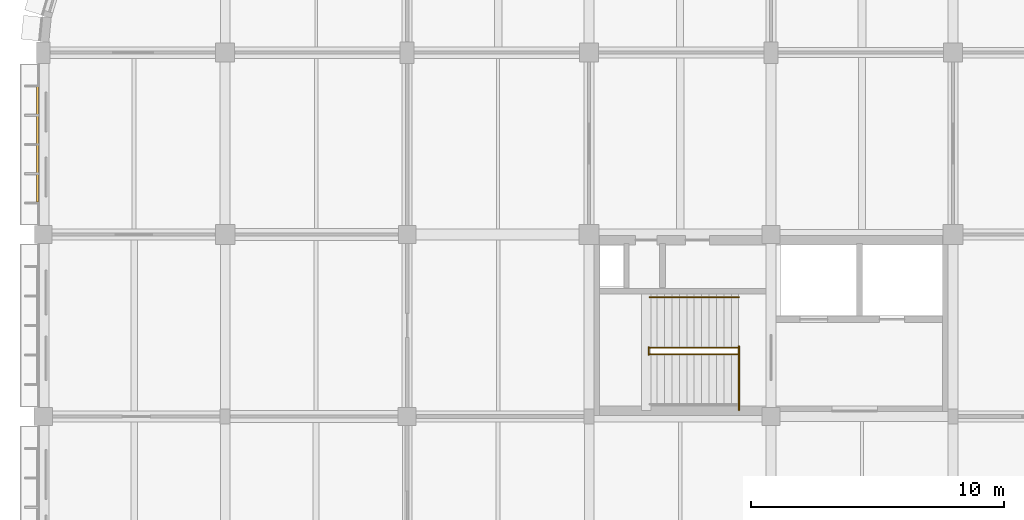
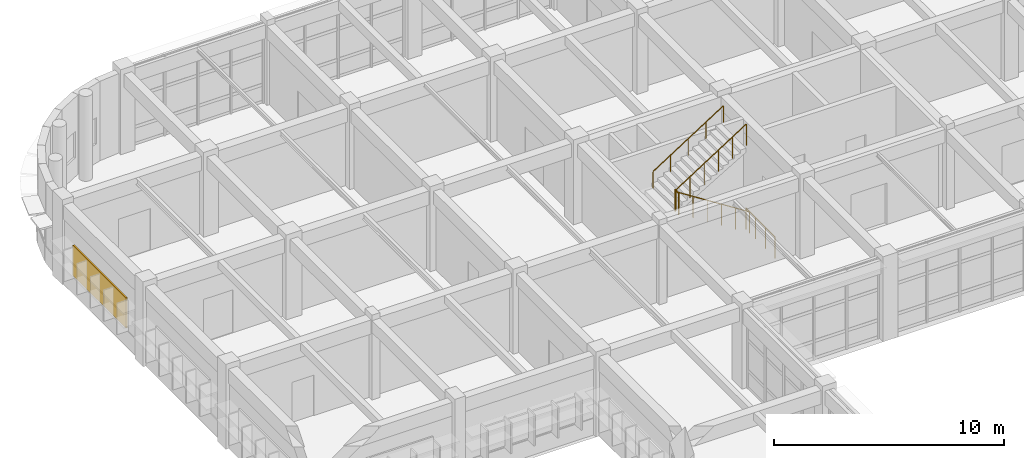
# One storey, part 168 of 171: 5 railings, 1 shading device.
"""IFC4 building model written with IfcOpenShell, lengths in metres."""

from ifc_helpers import new_model, si_unit, direction, frame, origin, origin_2d, place, context, subcontext, project, spatial, rectangle, circle, extrude, material, layer, layer_set, type_object, element, save


model = new_model("IFC4")

# Units and contexts
model_context = context("Model", 3, precision=1e-05, world=origin(), true_north=direction((0.0, 1.0)))
body_context = subcontext(model_context, "Body", "Model", "MODEL_VIEW")
ifc_project = project(units=[si_unit("LENGTHUNIT", "METRE"), si_unit("AREAUNIT", "SQUARE_METRE"), si_unit("VOLUMEUNIT", "CUBIC_METRE"), si_unit("PLANEANGLEUNIT", "RADIAN"), si_unit("MASSUNIT", "GRAM", prefix="KILO")], contexts=[model_context])

# Site, building, storey
site_placement = place(None, origin())
site = spatial("IfcSite", under=ifc_project, at=site_placement, CompositionType="ELEMENT")
building_placement = place(site_placement, origin())
building = spatial("IfcBuilding", under=site, at=building_placement, Name="Thalmaran Polytechnic", CompositionType="ELEMENT")
storey_placement = place(building_placement, frame((0.0, 0.0, 5.39990234375)))
storey = spatial("IfcBuildingStorey", under=building, at=storey_placement, Name="L01", CompositionType="ELEMENT", Elevation=5.39990234375)

# Railings
ifc_material_1 = material(Name="Stainless steel 316", Category="steel")
railing_type_1 = type_object("IfcRailingType", Name="RL-GR01", PredefinedType="GUARDRAIL", material=ifc_material_1)
railing_1_placement = place(storey_placement, frame((27.530029296875, 101.050048828125, 0.0)))
element("IfcRailing", 1, at=railing_1_placement, inside=storey, type_object=railing_type_1, Name="ST2 L01 Landing Edge Guardrail", PredefinedType="GUARDRAIL", context=body_context, shape_type="SweptSolid", body=[
    extrude(circle(Radius=0.02392578125, at=origin_2d()), frame((0.0, 0.0, 1.1259765625), z_axis=(0.0, 1.0, 0.0), x_axis=(-1.0, 0.0, 0.0)), (0.0, 0.0, 1.0), 2.530029296875),
    extrude(circle(Radius=0.02099609375, at=origin_2d()), origin(), (0.0, 0.0, 1.0), 1.101806640625),
    extrude(circle(Radius=0.02099609375, at=origin_2d()), frame((0.0, 0.84326171875, 0.0)), (0.0, 0.0, 1.0), 1.101806640625),
    extrude(circle(Radius=0.02099609375, at=origin_2d()), frame((0.0, 1.686767578125, 0.0)), (0.0, 0.0, 1.0), 1.101806640625),
    extrude(circle(Radius=0.02099609375, at=origin_2d()), frame((0.0, 2.530029296875, 0.0)), (0.0, 0.0, 1.0), 1.101806640625),
])
railing_2_placement = place(storey_placement, frame((27.52001953125, 103.260009765625, 0.0)))
element("IfcRailing", 2, at=railing_2_placement, inside=storey, type_object=railing_type_1, Name="ST2 L01 Lower Flight Guardrail", PredefinedType="GUARDRAIL", context=body_context, shape_type="SweptSolid", body=[
    extrude(circle(Radius=0.02392578125, at=origin_2d()), frame((0.0, 0.0, 1.1259765625), z_axis=(-0.84257692701, 0.0, 0.53857601327), x_axis=(0.0, -1.0, 0.0)), (0.0, 0.0, 1.0), 4.177734375),
    extrude(circle(Radius=0.02099609375, at=origin_2d()), origin(), (0.0, 0.0, 1.0), 1.101806640625),
    extrude(circle(Radius=0.02099609375, at=origin_2d()), frame((-0.7041015625, 0.0, 0.449951171875)), (0.0, 0.0, 1.0), 1.101806640625),
    extrude(circle(Radius=0.02099609375, at=origin_2d()), frame((-1.407958984375, 0.0, 0.89990234375)), (0.0, 0.0, 1.0), 1.101806640625),
    extrude(circle(Radius=0.02099609375, at=origin_2d()), frame((-2.112060546875, 0.0, 1.35009765625)), (0.0, 0.0, 1.0), 1.101806640625),
    extrude(circle(Radius=0.02099609375, at=origin_2d()), frame((-2.81591796875, 0.0, 1.800048828125)), (0.0, 0.0, 1.0), 1.101806640625),
    extrude(circle(Radius=0.02099609375, at=origin_2d()), frame((-3.52001953125, 0.0, 2.25)), (0.0, 0.0, 1.0), 1.101806640625),
])
railing_3_placement = place(storey_placement, frame((23.9599609375, 103.239990234375, 2.25)))
element("IfcRailing", 3, at=railing_3_placement, inside=storey, type_object=railing_type_1, Name="ST2 L01 Half-Landing Well Guardrail", PredefinedType="GUARDRAIL", context=body_context, shape_type="SweptSolid", body=[
    extrude(circle(Radius=0.02392578125, at=origin_2d()), frame((0.0, 0.0, 1.1259765625), z_axis=(0.0, 1.0, 0.0), x_axis=(-1.0, 0.0, 0.0)), (0.0, 0.0, 1.0), 0.300048828125),
    extrude(circle(Radius=0.02099609375, at=origin_2d()), origin(), (0.0, 0.0, 1.0), 1.101806640625),
    extrude(circle(Radius=0.02099609375, at=origin_2d()), frame((0.0, 0.300048828125, 0.0)), (0.0, 0.0, 1.0), 1.101806640625),
])
railing_4_placement = place(storey_placement, frame((24.0, 103.52001953125, 2.25)))
element("IfcRailing", 4, at=railing_4_placement, inside=storey, type_object=railing_type_1, Name="ST2 L01 Upper Flight Guardrail", PredefinedType="GUARDRAIL", context=body_context, shape_type="SweptSolid", body=[
    extrude(circle(Radius=0.02392578125, at=origin_2d()), frame((0.0, 0.0, 1.1259765625), z_axis=(0.84257692701, 0.0, 0.53857601327), x_axis=(0.0, 1.0, 0.0)), (0.0, 0.0, 1.0), 4.177734375),
    extrude(circle(Radius=0.02099609375, at=origin_2d()), origin(), (0.0, 0.0, 1.0), 1.101806640625),
    extrude(circle(Radius=0.02099609375, at=origin_2d()), frame((0.7041015625, 0.0, 0.449951171875)), (0.0, 0.0, 1.0), 1.101806640625),
    extrude(circle(Radius=0.02099609375, at=origin_2d()), frame((1.407958984375, 0.0, 0.89990234375)), (0.0, 0.0, 1.0), 1.101806640625),
    extrude(circle(Radius=0.02099609375, at=origin_2d()), frame((2.112060546875, 0.0, 1.35009765625)), (0.0, 0.0, 1.0), 1.101806640625),
    extrude(circle(Radius=0.02099609375, at=origin_2d()), frame((2.81591796875, 0.0, 1.800048828125)), (0.0, 0.0, 1.0), 1.101806640625),
    extrude(circle(Radius=0.02099609375, at=origin_2d()), frame((3.52001953125, 0.0, 2.25)), (0.0, 0.0, 1.0), 1.101806640625),
])
railing_type_2 = type_object("IfcRailingType", Name="RL-HR01", PredefinedType="HANDRAIL", material=ifc_material_1)
railing_5_placement = place(storey_placement, frame((24.0, 105.52001953125, 2.25)))
element("IfcRailing", 5, at=railing_5_placement, inside=storey, type_object=railing_type_2, Name="ST2 L01 Flight 2 Handrail", PredefinedType="HANDRAIL", context=body_context, shape_type="SweptSolid", body=[
    extrude(circle(Radius=0.02392578125, at=origin_2d()), frame((0.0, 0.0, 0.8759765625), z_axis=(0.84257692701, 0.0, 0.53857601327), x_axis=(0.0, 1.0, 0.0)), (0.0, 0.0, 1.0), 4.177734375),
    extrude(circle(Radius=0.02099609375, at=origin_2d()), origin(), (0.0, 0.0, 1.0), 0.851806640625),
    extrude(circle(Radius=0.02099609375, at=origin_2d()), frame((0.8798828125, 0.0, 0.5625)), (0.0, 0.0, 1.0), 0.851806640625),
    extrude(circle(Radius=0.02099609375, at=origin_2d()), frame((1.760009765625, 0.0, 1.125)), (0.0, 0.0, 1.0), 0.851806640625),
    extrude(circle(Radius=0.02099609375, at=origin_2d()), frame((2.64013671875, 0.0, 1.6875)), (0.0, 0.0, 1.0), 0.851806640625),
    extrude(circle(Radius=0.02099609375, at=origin_2d()), frame((3.52001953125, 0.0, 2.25)), (0.0, 0.0, 1.0), 0.851806640625),
])

# Shading device
ifc_material_2 = material(Name="Perforated anodised-bronze aluminium screen", Category="aluminium")
ifc_layer = layer(ifc_material_2, 0.080078125, Name="Perforated anodised-bronze aluminium screen")
ifc_layer_set = layer_set([ifc_layer], Name="Perforated anodised-bronze aluminium screen")
shading_device_type = type_object("IfcShadingDeviceType", Name="SH-JL01", PredefinedType="JALOUSIE", material=ifc_layer_set)
shading_device_placement = place(storey_placement, frame((-0.219970703125, 111.60009765625, 1.025146484375), z_axis=(0.0, 0.0, 1.0), x_axis=(0.0, 1.0, 0.0)))
element("IfcShadingDevice", 6, at=shading_device_placement, inside=storey, type_object=shading_device_type, Name="Anodised-Bronze Mashrabiya Solar Screen L01-020", PredefinedType="JALOUSIE", context=body_context, shape_type="SweptSolid", body=[
    extrude(rectangle(XDim=4.6259765625, YDim=0.080078125, at=origin_2d()), origin(), (0.0, 0.0, 1.0), 1.60009765625),
])

save(model, "model.ifc")
